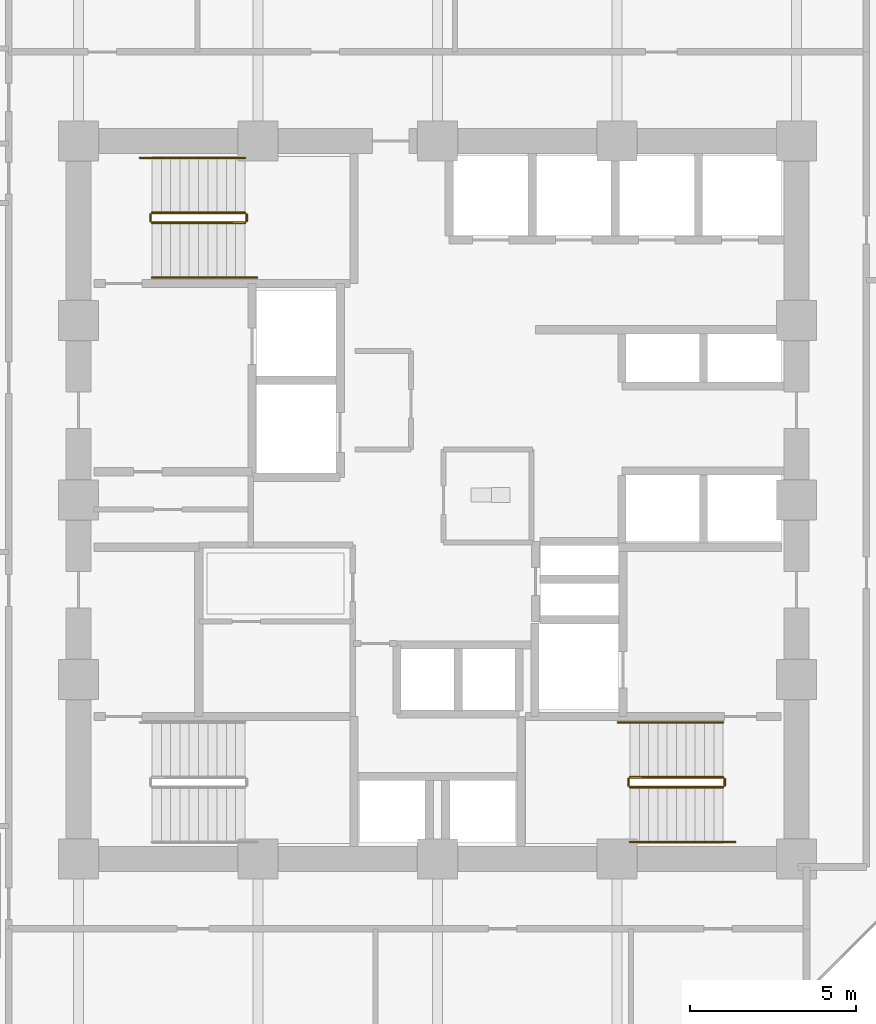
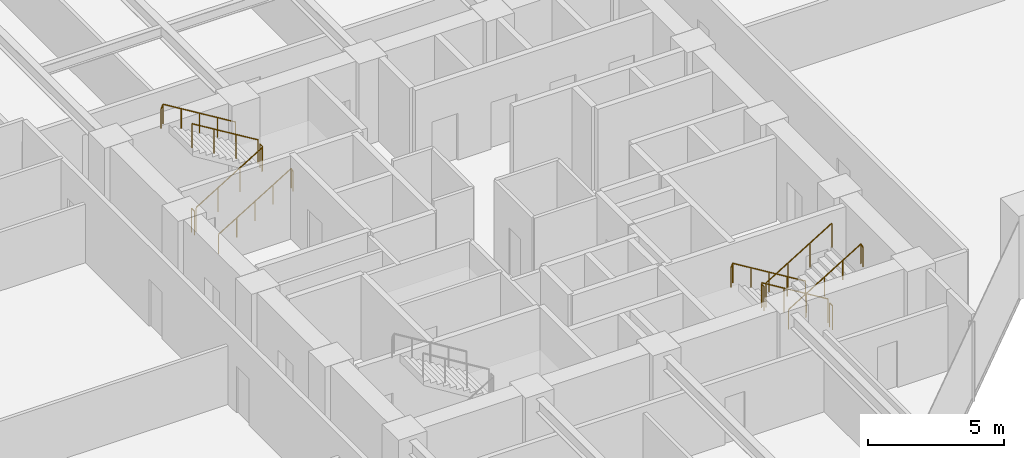
# One storey, part 24 of 25: 12 railings.
"""IFC4 building model written with IfcOpenShell, lengths in metres."""

from ifc_helpers import new_model, si_unit, direction, frame, origin, origin_2d, place, context, subcontext, project, spatial, circle, extrude, material, type_object, element, save


model = new_model("IFC4")

# Units and contexts
model_context = context("Model", 3, precision=1e-05, world=origin(), true_north=direction((0.0, 1.0)))
body_context = subcontext(model_context, "Body", "Model", "MODEL_VIEW")
ifc_project = project(units=[si_unit("LENGTHUNIT", "METRE"), si_unit("AREAUNIT", "SQUARE_METRE"), si_unit("VOLUMEUNIT", "CUBIC_METRE"), si_unit("PLANEANGLEUNIT", "RADIAN"), si_unit("MASSUNIT", "GRAM", prefix="KILO")], contexts=[model_context])

# Site, building, storey
site_placement = place(None, origin())
site = spatial("IfcSite", under=ifc_project, at=site_placement, CompositionType="ELEMENT")
building_placement = place(site_placement, origin())
building = spatial("IfcBuilding", under=site, at=building_placement, Name="Surkhivell Harbour Commons", CompositionType="ELEMENT")
storey_placement = place(building_placement, frame((0.0, 0.0, 52.5)))
storey = spatial("IfcBuildingStorey", under=building, at=storey_placement, Name="L13", CompositionType="ELEMENT", Elevation=52.5)

# Railings
ifc_material_1 = material(Name="Galvanised and painted steel S355 guard rail", Category="steel")
railing_type_1 = type_object("IfcRailingType", Name="RAL-ST-GRD1100", PredefinedType="GUARDRAIL", material=ifc_material_1)
railing_1_placement = place(storey_placement, frame((-8.590087890625, 8.340087890625, 0.17041015625)))
element("IfcRailing", 1, at=railing_1_placement, inside=storey, type_object=railing_type_1, Name="L13 ST1 stair guard 1", PredefinedType="GUARDRAIL", context=body_context, shape_type="SweptSolid", body=[
    extrude(circle(Radius=0.02392578125, at=origin_2d()), frame((0.0, 0.0, 1.076171875), z_axis=(0.854169791009, 0.0, 0.51999420009), x_axis=(0.0, 1.0, 0.0)), (0.0, 0.0, 1.0), 3.278076171875),
    extrude(circle(Radius=0.02099609375, at=origin_2d()), origin(), (0.0, 0.0, 1.0), 1.052001953125),
    extrude(circle(Radius=0.02099609375, at=origin_2d()), frame((0.933349609375, 0.0, 0.568115234375)), (0.0, 0.0, 1.0), 1.052001953125),
    extrude(circle(Radius=0.02099609375, at=origin_2d()), frame((1.86669921875, 0.0, 1.136474609375)), (0.0, 0.0, 1.0), 1.052001953125),
    extrude(circle(Radius=0.02099609375, at=origin_2d()), frame((2.800048828125, 0.0, 1.70458984375)), (0.0, 0.0, 1.0), 1.052001953125),
])
railing_2_placement = place(storey_placement, frame((-5.739990234375, 8.389892578125, 1.875)))
element("IfcRailing", 2, at=railing_2_placement, inside=storey, type_object=railing_type_1, Name="L13 ST1 stair guard 2", PredefinedType="GUARDRAIL", context=body_context, shape_type="SweptSolid", body=[
    extrude(circle(Radius=0.02392578125, at=origin_2d()), frame((0.0, 0.0, 1.076171875), z_axis=(0.0, 1.0, 0.0), x_axis=(-1.0, 0.0, 0.0)), (0.0, 0.0, 1.0), 0.2001953125),
    extrude(circle(Radius=0.02099609375, at=origin_2d()), origin(), (0.0, 0.0, 1.0), 1.052001953125),
    extrude(circle(Radius=0.02099609375, at=origin_2d()), frame((0.0, 0.2001953125, 0.0)), (0.0, 0.0, 1.0), 1.052001953125),
])
railing_3_placement = place(storey_placement, frame((-5.7900390625, 8.639892578125, 2.04541015625)))
element("IfcRailing", 3, at=railing_3_placement, inside=storey, type_object=railing_type_1, Name="L13 ST1 stair guard 3", PredefinedType="GUARDRAIL", context=body_context, shape_type="SweptSolid", body=[
    extrude(circle(Radius=0.02392578125, at=origin_2d()), frame((0.0, 0.0, 1.076171875), z_axis=(-0.854169791009, 0.0, 0.51999420009), x_axis=(0.0, -1.0, 0.0)), (0.0, 0.0, 1.0), 3.278076171875),
    extrude(circle(Radius=0.02099609375, at=origin_2d()), origin(), (0.0, 0.0, 1.0), 1.052001953125),
    extrude(circle(Radius=0.02099609375, at=origin_2d()), frame((-0.933349609375, 0.0, 0.568115234375)), (0.0, 0.0, 1.0), 1.052001953125),
    extrude(circle(Radius=0.02099609375, at=origin_2d()), frame((-1.86669921875, 0.0, 1.136474609375)), (0.0, 0.0, 1.0), 1.052001953125),
    extrude(circle(Radius=0.02099609375, at=origin_2d()), frame((-2.800048828125, 0.0, 1.70458984375)), (0.0, 0.0, 1.0), 1.052001953125),
])
railing_4_placement = place(storey_placement, frame((-8.639892578125, 8.389892578125, 0.0)))
element("IfcRailing", 4, at=railing_4_placement, inside=storey, type_object=railing_type_1, Name="L13 ST1 stair guard 4", PredefinedType="GUARDRAIL", context=body_context, shape_type="SweptSolid", body=[
    extrude(circle(Radius=0.02392578125, at=origin_2d()), frame((0.0, 0.0, 1.076171875), z_axis=(0.0, 1.0, 0.0), x_axis=(-1.0, 0.0, 0.0)), (0.0, 0.0, 1.0), 0.2001953125),
    extrude(circle(Radius=0.02099609375, at=origin_2d()), origin(), (0.0, 0.0, 1.0), 1.052001953125),
    extrude(circle(Radius=0.02099609375, at=origin_2d()), frame((0.0, 0.2001953125, 0.0)), (0.0, 0.0, 1.0), 1.052001953125),
])
railing_5_placement = place(storey_placement, frame((8.590087890625, -8.340087890625, 0.17041015625)))
element("IfcRailing", 5, at=railing_5_placement, inside=storey, type_object=railing_type_1, Name="L13 ST2 stair guard 1", PredefinedType="GUARDRAIL", context=body_context, shape_type="SweptSolid", body=[
    extrude(circle(Radius=0.02392578125, at=origin_2d()), frame((0.0, 0.0, 1.076171875), z_axis=(-0.854169791009, 0.0, 0.51999420009), x_axis=(0.0, -1.0, 0.0)), (0.0, 0.0, 1.0), 3.278076171875),
    extrude(circle(Radius=0.02099609375, at=origin_2d()), origin(), (0.0, 0.0, 1.0), 1.052001953125),
    extrude(circle(Radius=0.02099609375, at=origin_2d()), frame((-0.933349609375, 0.0, 0.568115234375)), (0.0, 0.0, 1.0), 1.052001953125),
    extrude(circle(Radius=0.02099609375, at=origin_2d()), frame((-1.86669921875, 0.0, 1.136474609375)), (0.0, 0.0, 1.0), 1.052001953125),
    extrude(circle(Radius=0.02099609375, at=origin_2d()), frame((-2.800048828125, 0.0, 1.70458984375)), (0.0, 0.0, 1.0), 1.052001953125),
])
railing_6_placement = place(storey_placement, frame((5.739990234375, -8.389892578125, 1.875)))
element("IfcRailing", 6, at=railing_6_placement, inside=storey, type_object=railing_type_1, Name="L13 ST2 stair guard 2", PredefinedType="GUARDRAIL", context=body_context, shape_type="SweptSolid", body=[
    extrude(circle(Radius=0.02392578125, at=origin_2d()), frame((0.0, 0.0, 1.076171875), z_axis=(0.0, -1.0, 0.0), x_axis=(1.0, 0.0, 0.0)), (0.0, 0.0, 1.0), 0.2001953125),
    extrude(circle(Radius=0.02099609375, at=origin_2d()), origin(), (0.0, 0.0, 1.0), 1.052001953125),
    extrude(circle(Radius=0.02099609375, at=origin_2d()), frame((0.0, -0.2001953125, 0.0)), (0.0, 0.0, 1.0), 1.052001953125),
])
railing_7_placement = place(storey_placement, frame((5.7900390625, -8.639892578125, 2.04541015625)))
element("IfcRailing", 7, at=railing_7_placement, inside=storey, type_object=railing_type_1, Name="L13 ST2 stair guard 3", PredefinedType="GUARDRAIL", context=body_context, shape_type="SweptSolid", body=[
    extrude(circle(Radius=0.02392578125, at=origin_2d()), frame((0.0, 0.0, 1.076171875), z_axis=(0.854169791009, 0.0, 0.51999420009), x_axis=(0.0, 1.0, 0.0)), (0.0, 0.0, 1.0), 3.278076171875),
    extrude(circle(Radius=0.02099609375, at=origin_2d()), origin(), (0.0, 0.0, 1.0), 1.052001953125),
    extrude(circle(Radius=0.02099609375, at=origin_2d()), frame((0.933349609375, 0.0, 0.568115234375)), (0.0, 0.0, 1.0), 1.052001953125),
    extrude(circle(Radius=0.02099609375, at=origin_2d()), frame((1.86669921875, 0.0, 1.136474609375)), (0.0, 0.0, 1.0), 1.052001953125),
    extrude(circle(Radius=0.02099609375, at=origin_2d()), frame((2.800048828125, 0.0, 1.70458984375)), (0.0, 0.0, 1.0), 1.052001953125),
])
railing_8_placement = place(storey_placement, frame((8.639892578125, -8.389892578125, 0.0)))
element("IfcRailing", 8, at=railing_8_placement, inside=storey, type_object=railing_type_1, Name="L13 ST2 stair guard 4", PredefinedType="GUARDRAIL", context=body_context, shape_type="SweptSolid", body=[
    extrude(circle(Radius=0.02392578125, at=origin_2d()), frame((0.0, 0.0, 1.076171875), z_axis=(0.0, -1.0, 0.0), x_axis=(1.0, 0.0, 0.0)), (0.0, 0.0, 1.0), 0.2001953125),
    extrude(circle(Radius=0.02099609375, at=origin_2d()), origin(), (0.0, 0.0, 1.0), 1.052001953125),
    extrude(circle(Radius=0.02099609375, at=origin_2d()), frame((0.0, -0.2001953125, 0.0)), (0.0, 0.0, 1.0), 1.052001953125),
])
ifc_material_2 = material(Name="Brushed stainless steel S355 handrail", Category="steel")
railing_type_2 = type_object("IfcRailingType", Name="RAL-ST-HND900", PredefinedType="HANDRAIL", material=ifc_material_2)
railing_9_placement = place(storey_placement, frame((-8.590087890625, 6.68994140625, 0.17041015625)))
element("IfcRailing", 9, at=railing_9_placement, inside=storey, type_object=railing_type_2, Name="L13 ST1 stair handrail 1", PredefinedType="HANDRAIL", context=body_context, shape_type="SweptSolid", body=[
    extrude(circle(Radius=0.02392578125, at=origin_2d()), frame((0.0, 0.0, 0.8759765625), z_axis=(0.854177636135, 0.0, 0.519981313056), x_axis=(0.0, 1.0, 0.0)), (0.0, 0.0, 1.0), 3.60595703125),
    extrude(circle(Radius=0.02392578125, at=origin_2d()), frame((3.080078125, 0.0, 2.7509765625), z_axis=(0.425297416671, 0.0, -0.905053648892), x_axis=(0.0, 1.0, 0.0)), (0.0, 0.0, 1.0), 0.188232421875),
    extrude(circle(Radius=0.02099609375, at=origin_2d()), origin(), (0.0, 0.0, 1.0), 0.851806640625),
    extrude(circle(Radius=0.02099609375, at=origin_2d()), frame((0.77001953125, 0.0, 0.46875)), (0.0, 0.0, 1.0), 0.851806640625),
    extrude(circle(Radius=0.02099609375, at=origin_2d()), frame((1.5400390625, 0.0, 0.9375)), (0.0, 0.0, 1.0), 0.851806640625),
    extrude(circle(Radius=0.02099609375, at=origin_2d()), frame((2.31005859375, 0.0, 1.40625)), (0.0, 0.0, 1.0), 0.851806640625),
    extrude(circle(Radius=0.02099609375, at=origin_2d()), frame((3.080078125, 0.0, 1.875)), (0.0, 0.0, 1.0), 0.851806640625),
    extrude(circle(Radius=0.02099609375, at=origin_2d()), frame((3.16015625, 0.0, 1.70458984375)), (0.0, 0.0, 1.0), 0.851806640625),
])
railing_10_placement = place(storey_placement, frame((-5.7900390625, 10.2900390625, 2.04541015625)))
element("IfcRailing", 10, at=railing_10_placement, inside=storey, type_object=railing_type_2, Name="L13 ST1 stair handrail 2", PredefinedType="HANDRAIL", context=body_context, shape_type="SweptSolid", body=[
    extrude(circle(Radius=0.02392578125, at=origin_2d()), frame((0.0, 0.0, 0.8759765625), z_axis=(-0.854177636135, 0.0, 0.519981313056), x_axis=(0.0, -1.0, 0.0)), (0.0, 0.0, 1.0), 3.60595703125),
    extrude(circle(Radius=0.02392578125, at=origin_2d()), frame((-3.080078125, 0.0, 2.7509765625), z_axis=(-0.424234432967, 0.0, -0.905552398199), x_axis=(0.0, -1.0, 0.0)), (0.0, 0.0, 1.0), 0.188232421875),
    extrude(circle(Radius=0.02099609375, at=origin_2d()), origin(), (0.0, 0.0, 1.0), 0.851806640625),
    extrude(circle(Radius=0.02099609375, at=origin_2d()), frame((-0.77001953125, 0.0, 0.46875)), (0.0, 0.0, 1.0), 0.851806640625),
    extrude(circle(Radius=0.02099609375, at=origin_2d()), frame((-1.5400390625, 0.0, 0.9375)), (0.0, 0.0, 1.0), 0.851806640625),
    extrude(circle(Radius=0.02099609375, at=origin_2d()), frame((-2.31005859375, 0.0, 1.40625)), (0.0, 0.0, 1.0), 0.851806640625),
    extrude(circle(Radius=0.02099609375, at=origin_2d()), frame((-3.080078125, 0.0, 1.875)), (0.0, 0.0, 1.0), 0.851806640625),
    extrude(circle(Radius=0.02099609375, at=origin_2d()), frame((-3.159912109375, 0.0, 1.70458984375)), (0.0, 0.0, 1.0), 0.851806640625),
])
railing_11_placement = place(storey_placement, frame((8.590087890625, -6.68994140625, 0.17041015625)))
element("IfcRailing", 11, at=railing_11_placement, inside=storey, type_object=railing_type_2, Name="L13 ST2 stair handrail 1", PredefinedType="HANDRAIL", context=body_context, shape_type="SweptSolid", body=[
    extrude(circle(Radius=0.02392578125, at=origin_2d()), frame((0.0, 0.0, 0.8759765625), z_axis=(-0.854177636135, 0.0, 0.519981313056), x_axis=(0.0, -1.0, 0.0)), (0.0, 0.0, 1.0), 3.60595703125),
    extrude(circle(Radius=0.02392578125, at=origin_2d()), frame((-3.080078125, 0.0, 2.7509765625), z_axis=(-0.425297416671, 0.0, -0.905053648892), x_axis=(0.0, -1.0, 0.0)), (0.0, 0.0, 1.0), 0.188232421875),
    extrude(circle(Radius=0.02099609375, at=origin_2d()), origin(), (0.0, 0.0, 1.0), 0.851806640625),
    extrude(circle(Radius=0.02099609375, at=origin_2d()), frame((-0.77001953125, 0.0, 0.46875)), (0.0, 0.0, 1.0), 0.851806640625),
    extrude(circle(Radius=0.02099609375, at=origin_2d()), frame((-1.5400390625, 0.0, 0.9375)), (0.0, 0.0, 1.0), 0.851806640625),
    extrude(circle(Radius=0.02099609375, at=origin_2d()), frame((-2.31005859375, 0.0, 1.40625)), (0.0, 0.0, 1.0), 0.851806640625),
    extrude(circle(Radius=0.02099609375, at=origin_2d()), frame((-3.080078125, 0.0, 1.875)), (0.0, 0.0, 1.0), 0.851806640625),
    extrude(circle(Radius=0.02099609375, at=origin_2d()), frame((-3.16015625, 0.0, 1.70458984375)), (0.0, 0.0, 1.0), 0.851806640625),
])
railing_12_placement = place(storey_placement, frame((5.7900390625, -10.2900390625, 2.04541015625)))
element("IfcRailing", 12, at=railing_12_placement, inside=storey, type_object=railing_type_2, Name="L13 ST2 stair handrail 2", PredefinedType="HANDRAIL", context=body_context, shape_type="SweptSolid", body=[
    extrude(circle(Radius=0.02392578125, at=origin_2d()), frame((0.0, 0.0, 0.8759765625), z_axis=(0.854177636135, 0.0, 0.519981313056), x_axis=(0.0, 1.0, 0.0)), (0.0, 0.0, 1.0), 3.60595703125),
    extrude(circle(Radius=0.02392578125, at=origin_2d()), frame((3.080078125, 0.0, 2.7509765625), z_axis=(0.424234432967, 0.0, -0.905552398199), x_axis=(0.0, 1.0, 0.0)), (0.0, 0.0, 1.0), 0.188232421875),
    extrude(circle(Radius=0.02099609375, at=origin_2d()), origin(), (0.0, 0.0, 1.0), 0.851806640625),
    extrude(circle(Radius=0.02099609375, at=origin_2d()), frame((0.77001953125, 0.0, 0.46875)), (0.0, 0.0, 1.0), 0.851806640625),
    extrude(circle(Radius=0.02099609375, at=origin_2d()), frame((1.5400390625, 0.0, 0.9375)), (0.0, 0.0, 1.0), 0.851806640625),
    extrude(circle(Radius=0.02099609375, at=origin_2d()), frame((2.31005859375, 0.0, 1.40625)), (0.0, 0.0, 1.0), 0.851806640625),
    extrude(circle(Radius=0.02099609375, at=origin_2d()), frame((3.080078125, 0.0, 1.875)), (0.0, 0.0, 1.0), 0.851806640625),
    extrude(circle(Radius=0.02099609375, at=origin_2d()), frame((3.159912109375, 0.0, 1.70458984375)), (0.0, 0.0, 1.0), 0.851806640625),
])

save(model, "model.ifc")
